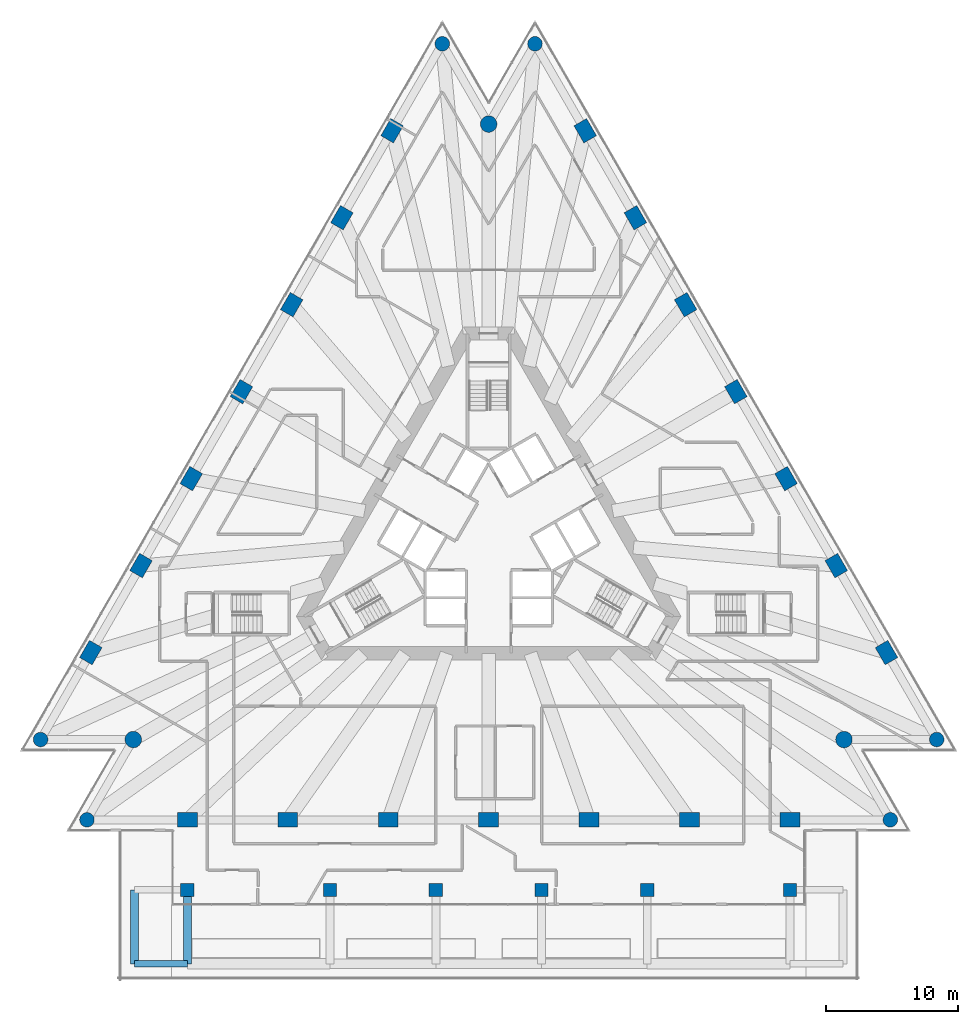
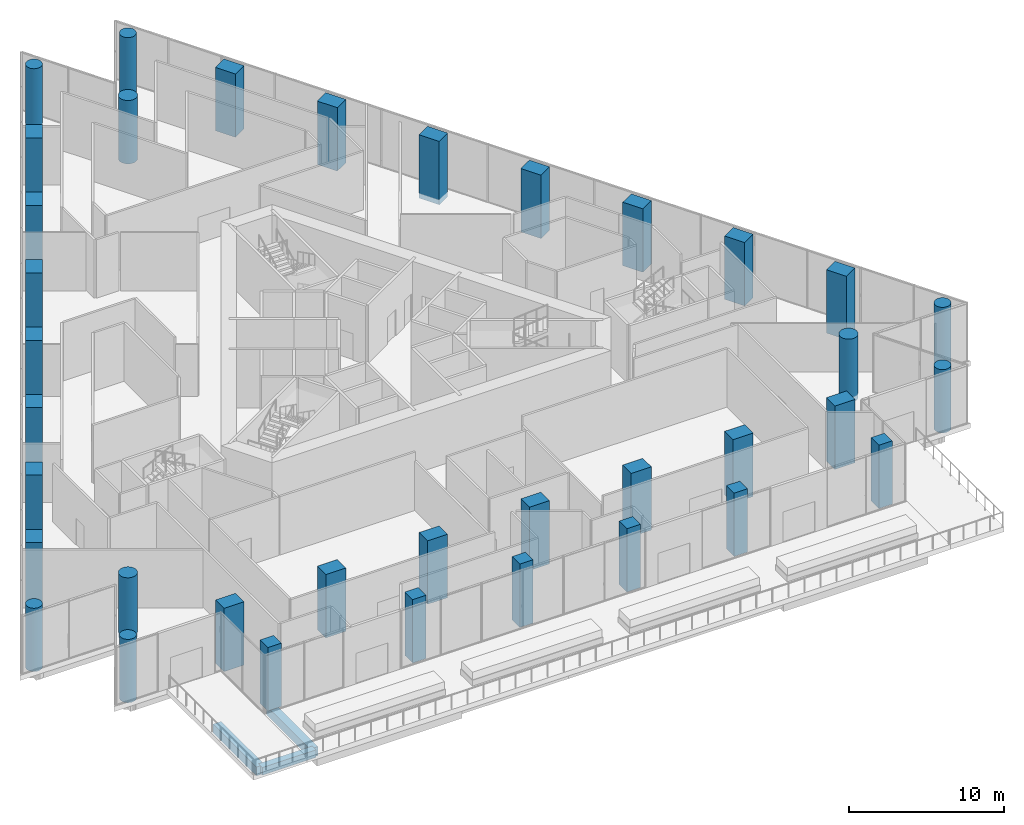
# One storey, part 1 of 32: 36 columns, 3 beams.
"""IFC4 building model written with IfcOpenShell, lengths in metres."""

from ifc_helpers import new_model, si_unit, direction, frame, origin, origin_2d, place, context, subcontext, project, spatial, rectangle, circle, extrude, material, material_profile, profile_set, type_object, element, save


model = new_model("IFC4")

# Units and contexts
model_context = context("Model", 3, precision=1e-05, world=origin(), true_north=direction((0.0, 1.0)))
body_context = subcontext(model_context, "Body", "Model", "MODEL_VIEW")
ifc_project = project(units=[si_unit("LENGTHUNIT", "METRE"), si_unit("AREAUNIT", "SQUARE_METRE"), si_unit("VOLUMEUNIT", "CUBIC_METRE"), si_unit("PLANEANGLEUNIT", "RADIAN"), si_unit("MASSUNIT", "GRAM", prefix="KILO")], contexts=[model_context])

# Site, building, storey
site_placement = place(None, origin())
site = spatial("IfcSite", under=ifc_project, at=site_placement, CompositionType="ELEMENT")
building_placement = place(site_placement, origin())
building = spatial("IfcBuilding", under=site, at=building_placement, Name="Triada Interchange Tower", CompositionType="ELEMENT")
storey_placement = place(building_placement, frame((0.0, 0.0, 25.300048828125)))
storey = spatial("IfcBuildingStorey", under=building, at=storey_placement, Name="L04", CompositionType="ELEMENT", Elevation=25.300048828125)

# Columns
ifc_material_1 = material(Name="Concrete C70/85", Category="concrete")
ifc_material_profile_1 = material_profile(ifc_material_1, rectangle(XDim=1.5, YDim=1.10009765625, at=origin_2d()), Name="RC 1500x1100")
ifc_profile_set_1 = profile_set([ifc_material_profile_1], Name="Concrete C70/85")
column_type_1 = type_object("IfcColumnType", Name="Column P face RC 1500x1100", PredefinedType="COLUMN", material=ifc_profile_set_1)
for number, where, z_axis, x_axis, name in (
    (1, (-7.306884765625, 30.5439453125, -0.400146484375), (0.0, 0.0, 1.0), (0.5, 0.866025403784, 0.0), "Column CP02 L04"),
    (2, (-11.10595703125, 23.9619140625, -0.400146484375), (0.0, 0.0, 1.0), (0.5, 0.866025403784, 0.0), "Column CP03 L04"),
    (3, (-14.906005859375, 17.381103515625, -0.400146484375), (0.0, 0.0, 1.0), (0.5, 0.866025403784, 0.0), "Column CP04 L04"),
    (4, (-18.7060546875, 10.800048828125, -0.400146484375), (0.0, 0.0, 1.0), (0.5, 0.866025403784, 0.0), "Column CP05 L04"),
    (5, (-22.506103515625, 4.218994140625, -0.400146484375), (0.0, 0.0, 1.0), (0.5, 0.866025403784, 0.0), "Column CP06 L04"),
    (6, (-26.305908203125, -2.362060546875, -0.400146484375), (0.0, 0.0, 1.0), (0.5, 0.866025403784, 0.0), "Column CP07 L04"),
    (7, (-30.10498046875, -8.944091796875, -0.400146484375), (0.0, 0.0, 1.0), (0.5, 0.866025403784, 0.0), "Column CP08 L04"),
    (8, (-22.798095703125, -21.60009765625, -0.400146484375), (0.0, 0.0, 1.0), (1.0, 0.0, 0.0), "Column CP11 L04"),
    (9, (-15.197998046875, -21.60009765625, -0.400146484375), (0.0, 0.0, 1.0), (1.0, 0.0, 0.0), "Column CP12 L04"),
    (10, (-7.59912109375, -21.60009765625, -0.400146484375), (0.0, 0.0, 1.0), (1.0, 0.0, 0.0), "Column CP13 L04"),
    (11, (0.0, -21.60009765625, -0.400146484375), (0.0, 0.0, 1.0), (1.0, 0.0, 0.0), "Column CP14 L04"),
    (12, (7.59912109375, -21.60009765625, -0.400146484375), (0.0, 0.0, 1.0), (1.0, 0.0, 0.0), "Column CP15 L04"),
    (13, (15.198974609375, -21.60009765625, -0.400146484375), (0.0, 0.0, 1.0), (1.0, 0.0, 0.0), "Column CP16 L04"),
    (14, (22.798095703125, -21.60009765625, -0.400146484375), (0.0, 0.0, 1.0), (1.0, 0.0, 0.0), "Column CP17 L04"),
    (15, (30.10498046875, -8.944091796875, -0.400146484375), (0.0, 0.0, 1.0), (-0.5, 0.866025403784, 0.0), "Column CP20 L04"),
    (16, (26.305908203125, -2.363037109375, -0.400146484375), (0.0, 0.0, 1.0), (-0.5, 0.866025403784, 0.0), "Column CP21 L04"),
    (17, (22.506103515625, 4.218994140625, -0.400146484375), (0.0, 0.0, 1.0), (-0.5, 0.866025403784, 0.0), "Column CP22 L04"),
    (18, (18.7060546875, 10.800048828125, -0.400146484375), (0.0, 0.0, 1.0), (-0.5, 0.866025403784, 0.0), "Column CP23 L04"),
    (19, (14.906005859375, 17.381103515625, -0.400146484375), (0.0, 0.0, 1.0), (-0.5, 0.866025403784, 0.0), "Column CP24 L04"),
    (20, (11.10595703125, 23.9619140625, -0.400146484375), (0.0, 0.0, 1.0), (-0.5, 0.866025403784, 0.0), "Column CP25 L04"),
    (21, (7.306884765625, 30.5439453125, -0.400146484375), (0.0, 0.0, 1.0), (-0.5, 0.866025403784, 0.0), "Column CP26 L04"),
):
    element("IfcColumn", number, at=place(storey_placement, frame(where, z_axis=z_axis, x_axis=x_axis)), inside=storey, type_object=column_type_1, Name=name, PredefinedType="COLUMN", context=body_context, shape_type="SweptSolid", body=[
        extrude(rectangle(XDim=1.5, YDim=1.10009765625, at=origin_2d()), origin(), (0.0, 0.0, 1.0), 5.0),
    ])
ifc_material_2 = material(Name="Concrete C50/60", Category="concrete")
ifc_material_profile_2 = material_profile(ifc_material_2, rectangle(XDim=1.0, YDim=1.0, at=origin_2d()), Name="RC 1000x1000")
ifc_profile_set_2 = profile_set([ifc_material_profile_2], Name="Concrete C50/60")
column_type_2 = type_object("IfcColumnType", Name="Column X annex RC 1000x1000", PredefinedType="COLUMN", material=ifc_profile_set_2)
for number, where, z_axis, x_axis, name in (
    (22, (-22.800048828125, -26.89990234375, -0.400146484375), (0.0, 0.0, 1.0), (1.0, 0.0, 0.0), "Column CX045 L04"),
    (23, (-12.0, -26.89990234375, -0.400146484375), (0.0, 0.0, 1.0), (1.0, 0.0, 0.0), "Column CX046 L04"),
    (24, (-4.0, -26.89990234375, -0.400146484375), (0.0, 0.0, 1.0), (1.0, 0.0, 0.0), "Column CX047 L04"),
    (25, (4.0, -26.89990234375, -0.400146484375), (0.0, 0.0, 1.0), (1.0, 0.0, 0.0), "Column CX048 L04"),
    (26, (12.0, -26.89990234375, -0.400146484375), (0.0, 0.0, 1.0), (1.0, 0.0, 0.0), "Column CX049 L04"),
    (27, (22.800048828125, -26.89990234375, -0.400146484375), (0.0, 0.0, 1.0), (1.0, 0.0, 0.0), "Column CX050 L04"),
):
    element("IfcColumn", number, at=place(storey_placement, frame(where, z_axis=z_axis, x_axis=x_axis)), inside=storey, type_object=column_type_2, Name=name, PredefinedType="COLUMN", context=body_context, shape_type="SweptSolid", body=[
        extrude(rectangle(XDim=1.0, YDim=1.0, at=origin_2d()), origin(), (0.0, 0.0, 1.0), 5.0),
    ])
ifc_material_profile_3 = material_profile(ifc_material_1, circle(Radius=0.550048828125, at=origin_2d()), Name="RC D1100")
ifc_profile_set_3 = profile_set([ifc_material_profile_3], Name="Concrete C70/85")
column_type_3 = type_object("IfcColumnType", Name="End column P RC D1100", PredefinedType="COLUMN", material=ifc_profile_set_3)
for number, where, z_axis, x_axis, name in (
    (28, (-3.507080078125, 37.125, -0.400146484375), (0.0, 0.0, 1.0), (0.5, 0.866025403784, 0.0), "Column CP01 L04"),
    (29, (-33.905029296875, -15.52490234375, -0.400146484375), (0.0, 0.0, 1.0), (0.5, 0.866025403784, 0.0), "Column CP09 L04"),
    (30, (-30.39697265625, -21.60009765625, -0.400146484375), (0.0, 0.0, 1.0), (1.0, 0.0, 0.0), "Column CP10 L04"),
    (31, (30.39697265625, -21.60009765625, -0.400146484375), (0.0, 0.0, 1.0), (1.0, 0.0, 0.0), "Column CP18 L04"),
    (32, (33.905029296875, -15.52490234375, -0.400146484375), (0.0, 0.0, 1.0), (-0.5, 0.866025403784, 0.0), "Column CP19 L04"),
    (33, (3.507080078125, 37.125, -0.400146484375), (0.0, 0.0, 1.0), (-0.5, 0.866025403784, 0.0), "Column CP27 L04"),
):
    element("IfcColumn", number, at=place(storey_placement, frame(where, z_axis=z_axis, x_axis=x_axis)), inside=storey, type_object=column_type_3, Name=name, PredefinedType="COLUMN", context=body_context, shape_type="SweptSolid", body=[
        extrude(circle(Radius=0.550048828125, at=origin_2d()), origin(), (0.0, 0.0, 1.0), 5.0),
    ])
ifc_material_profile_4 = material_profile(ifc_material_1, circle(Radius=0.625, at=origin_2d()), Name="RC D1250")
ifc_profile_set_4 = profile_set([ifc_material_profile_4], Name="Concrete C70/85")
column_type_4 = type_object("IfcColumnType", Name="Mega column P RC D1250", PredefinedType="COLUMN", material=ifc_profile_set_4)
for number, where, z_axis, x_axis, name in (
    (34, (0.0, 31.050048828125, -0.400146484375), (0.0, 0.0, 1.0), (1.0, 0.0, 0.0), "Column MP1 L04"),
    (35, (-26.889892578125, -15.52490234375, -0.400146484375), (0.0, 0.0, 1.0), (1.0, 0.0, 0.0), "Column MP2 L04"),
    (36, (26.889892578125, -15.52490234375, -0.400146484375), (0.0, 0.0, 1.0), (1.0, 0.0, 0.0), "Column MP3 L04"),
):
    element("IfcColumn", number, at=place(storey_placement, frame(where, z_axis=z_axis, x_axis=x_axis)), inside=storey, type_object=column_type_4, Name=name, PredefinedType="COLUMN", context=body_context, shape_type="SweptSolid", body=[
        extrude(circle(Radius=0.625, at=origin_2d()), origin(), (0.0, 0.0, 1.0), 5.0),
    ])

# Beams
ifc_material_3 = material(Name="Concrete C40/50", Category="concrete")
ifc_material_profile_5 = material_profile(ifc_material_3, rectangle(XDim=0.5, YDim=0.60009765625, at=origin_2d()), Name="RC 500x600")
ifc_profile_set_5 = profile_set([ifc_material_profile_5], Name="Concrete C40/50")
beam_type_1 = type_object("IfcBeamType", Name="Terrace beam RC 500x600", PredefinedType="BEAM", material=ifc_profile_set_5)
beam_placement = place(storey_placement, frame((-26.800048828125, -32.5, -0.699951171875), z_axis=(1.0, 0.0, 0.0), x_axis=(0.0, 1.0, 0.0)))
element("IfcBeam", 37, at=beam_placement, inside=storey, type_object=beam_type_1, Name="Terrace beam TE01 L04", PredefinedType="BEAM", context=body_context, shape_type="SweptSolid", body=[
    extrude(rectangle(XDim=0.5, YDim=0.60009765625, at=origin_2d()), origin(), (0.0, 0.0, 1.0), 4.0),
])
ifc_material_profile_6 = material_profile(ifc_material_3, rectangle(XDim=0.60009765625, YDim=0.699951171875, at=origin_2d()), Name="RC 600x700")
ifc_profile_set_6 = profile_set([ifc_material_profile_6], Name="Concrete C40/50")
beam_type_2 = type_object("IfcBeamType", Name="Terrace beam RC 600x700", PredefinedType="BEAM", material=ifc_profile_set_6)
for number, where, z_axis, x_axis, name in (
    (38, (-26.800048828125, -32.5, -0.75), (0.0, 1.0, 0.0), (-1.0, 0.0, 0.0), "Terrace beam TE03 L04"),
    (39, (-22.800048828125, -32.5, -0.75), (0.0, 1.0, 0.0), (-1.0, 0.0, 0.0), "Terrace beam TE07 L04"),
):
    element("IfcBeam", number, at=place(storey_placement, frame(where, z_axis=z_axis, x_axis=x_axis)), inside=storey, type_object=beam_type_2, Name=name, PredefinedType="BEAM", context=body_context, shape_type="SweptSolid", body=[
        extrude(rectangle(XDim=0.60009765625, YDim=0.699951171875, at=origin_2d()), origin(), (0.0, 0.0, 1.0), 5.60009765625),
    ])

save(model, "model.ifc")
